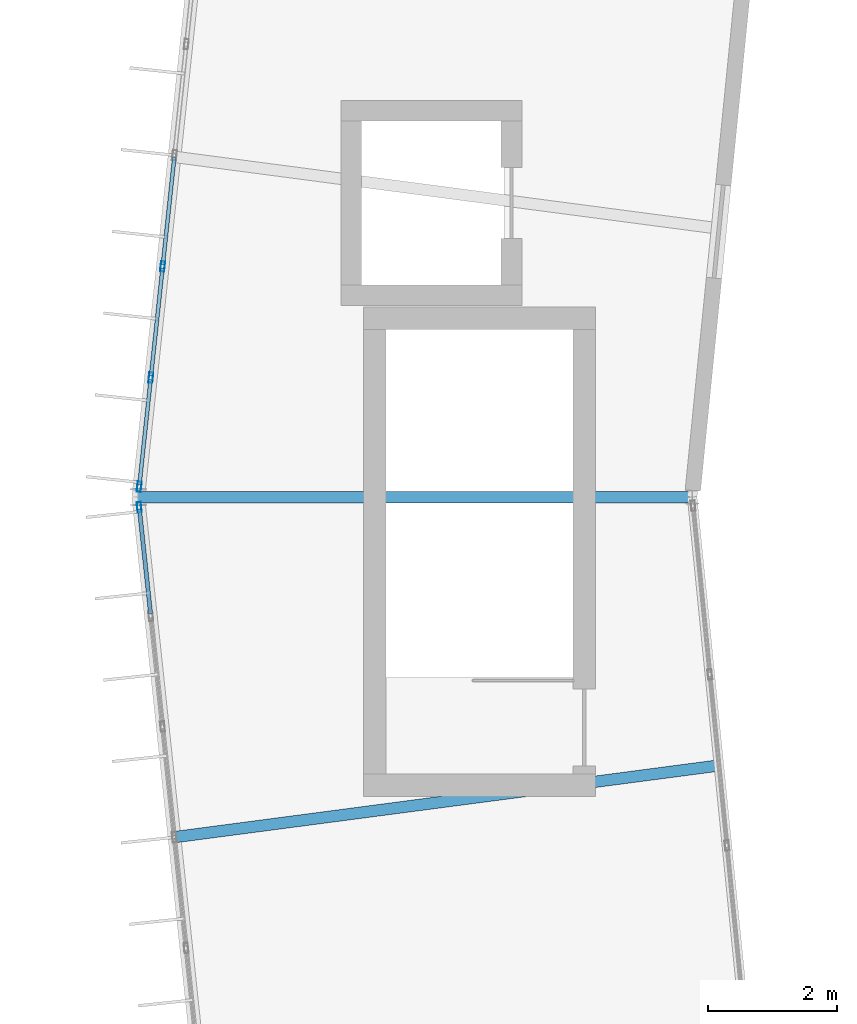
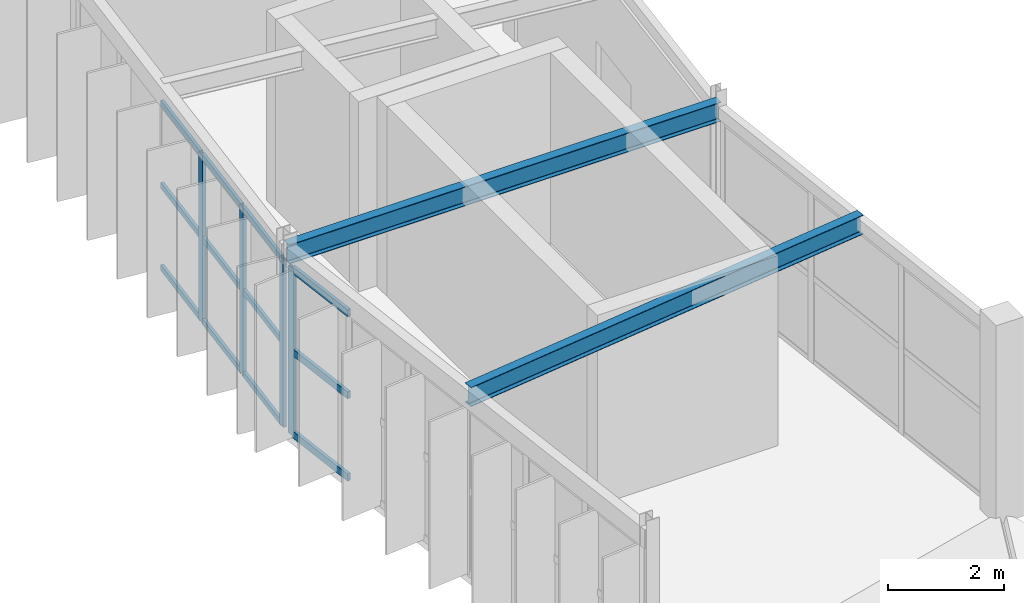
# One storey, part 27 of 106: 16 members, 2 beams, 2 elements without a shape of their own.
"""IFC4 building model written with IfcOpenShell, lengths in metres."""

from ifc_helpers import new_model, si_unit, direction, frame, origin, origin_2d, place, context, subcontext, project, spatial, hollow_rectangle, i_section, extrude, material, material_profile, profile_set, type_object, element, aggregate, save


model = new_model("IFC4")

# Units and contexts
model_context = context("Model", 3, precision=1e-05, world=origin(), true_north=direction((0.0, 1.0)))
body_context = subcontext(model_context, "Body", "Model", "MODEL_VIEW")
ifc_project = project(units=[si_unit("LENGTHUNIT", "METRE"), si_unit("AREAUNIT", "SQUARE_METRE"), si_unit("VOLUMEUNIT", "CUBIC_METRE"), si_unit("PLANEANGLEUNIT", "RADIAN"), si_unit("MASSUNIT", "GRAM", prefix="KILO")], contexts=[model_context])

# Site, building, storey
site_placement = place(None, origin())
site = spatial("IfcSite", under=ifc_project, at=site_placement, CompositionType="ELEMENT")
building_placement = place(site_placement, origin())
building = spatial("IfcBuilding", under=site, at=building_placement, Name="Karori Crest Natural Sciences Institute", CompositionType="ELEMENT")
storey_placement = place(building_placement, frame((0.0, 0.0, 25.89990234375)))
storey = spatial("IfcBuildingStorey", under=building, at=storey_placement, Name="L06", CompositionType="ELEMENT", Elevation=25.89990234375)

# Beams
ifc_material_1 = material(Name="Structural steel AS/NZS 3679.1 Grade 350", Category="steel")
ifc_material_profile_1 = material_profile(ifc_material_1, i_section(OverallWidth=0.177978515625, OverallDepth=0.406005859375, WebThickness=0.0078125, FlangeThickness=0.0126953125, FilletRadius=0.010986328125, at=origin_2d()), Name="410UB59.7")
ifc_profile_set_1 = profile_set([ifc_material_profile_1], Name="Structural steel AS/NZS 3679.1 Grade 350")
beam_type = type_object("IfcBeamType", Name="BT-07", PredefinedType="BEAM", material=ifc_profile_set_1)
beam_1_placement = place(storey_placement, frame((42.0, 49.89990234375, 3.739990234375), z_axis=(-1.0, 0.0, 0.0), x_axis=(0.0, -1.0, 0.0)))
element("IfcBeam", 1, at=beam_1_placement, inside=storey, type_object=beam_type, Name="Beam B-0682", PredefinedType="BEAM", context=body_context, shape_type="SweptSolid", body=[
    extrude(i_section(OverallWidth=0.177978515625, OverallDepth=0.406005859375, WebThickness=0.0078125, FlangeThickness=0.0126953125, FilletRadius=0.010986328125, at=origin_2d()), origin(), (0.0, 0.0, 1.0), 8.60009765625),
])
beam_2_placement = place(storey_placement, frame((42.415771484375, 45.73291015625, 3.739990234375), z_axis=(-0.99144708217, -0.13050932249, 0.0), x_axis=(0.13050932249, -0.99144708217, 0.0)))
element("IfcBeam", 2, at=beam_2_placement, inside=storey, type_object=beam_type, Name="Beam B-2893", PredefinedType="BEAM", context=body_context, shape_type="SweptSolid", body=[
    extrude(i_section(OverallWidth=0.177978515625, OverallDepth=0.406005859375, WebThickness=0.0078125, FlangeThickness=0.0126953125, FilletRadius=0.010986328125, at=origin_2d()), origin(), (0.0, 0.0, 1.0), 8.526611328125),
])

# Curtain wall, members
ifc_material_2 = material(Name="Anodised architectural aluminium 6063-T6", Category="aluminium")
curtain_wall_type_1 = type_object("IfcCurtainWallType", Name="CWT-02", PredefinedType="NOTDEFINED", material=ifc_material_2)
curtain_wall_1_placement = place(storey_placement, origin())
curtain_wall_1 = element("IfcCurtainWall", 3, at=curtain_wall_1_placement, inside=storey, type_object=curtain_wall_type_1, Name="Curtain wall CW-0237", PredefinedType="NOTDEFINED")
ifc_material_profile_2 = material_profile(ifc_material_2, hollow_rectangle(XDim=0.06494140625, YDim=0.159912109375, WallThickness=0.00390625, at=origin_2d()), Name="CWM160x65x4")
ifc_profile_set_2 = profile_set([ifc_material_profile_2], Name="Anodised architectural aluminium 6063-T6")
member_type_1 = type_object("IfcMemberType", Name="CWM-01", PredefinedType="MULLION", material=ifc_profile_set_2)
member_1_placement = place(storey_placement, frame((33.4169921875, 50.060302734375, 0.0), z_axis=(0.0, 0.0, 1.0), x_axis=(-0.994378309998, 0.105885677057, 0.0)))
member_1 = element("IfcMember", 4, at=member_1_placement, type_object=member_type_1, Name="CW-0237 mullion 1", PredefinedType="MULLION", context=body_context, shape_type="SweptSolid", body=[
    extrude(hollow_rectangle(XDim=0.06494140625, YDim=0.159912109375, WallThickness=0.00390625, at=origin_2d()), origin(), (0.0, 0.0, 1.0), 3.525146484375),
])
member_2_placement = place(storey_placement, frame((33.597412109375, 51.75341796875, 0.0), z_axis=(0.0, 0.0, 1.0), x_axis=(-0.994378309998, 0.105885677057, 0.0)))
member_2 = element("IfcMember", 5, at=member_2_placement, type_object=member_type_1, Name="CW-0237 mullion 2", PredefinedType="MULLION", context=body_context, shape_type="SweptSolid", body=[
    extrude(hollow_rectangle(XDim=0.06494140625, YDim=0.159912109375, WallThickness=0.00390625, at=origin_2d()), origin(), (0.0, 0.0, 1.0), 3.525146484375),
])
member_3_placement = place(storey_placement, frame((33.781005859375, 53.47900390625, 0.0), z_axis=(0.0, 0.0, 1.0), x_axis=(-0.994378309998, 0.105885677057, 0.0)))
member_3 = element("IfcMember", 6, at=member_3_placement, type_object=member_type_1, Name="CW-0237 mullion 3", PredefinedType="MULLION", context=body_context, shape_type="SweptSolid", body=[
    extrude(hollow_rectangle(XDim=0.06494140625, YDim=0.159912109375, WallThickness=0.00390625, at=origin_2d()), origin(), (0.0, 0.0, 1.0), 3.525146484375),
])

# Curtain wall, member
curtain_wall_type_2 = type_object("IfcCurtainWallType", Name="CWT-03", PredefinedType="NOTDEFINED", material=ifc_material_2)
curtain_wall_2_placement = place(storey_placement, origin())
curtain_wall_2 = element("IfcCurtainWall", 7, at=curtain_wall_2_placement, inside=storey, type_object=curtain_wall_type_2, Name="Curtain wall CW-0238", PredefinedType="NOTDEFINED")
member_4_placement = place(storey_placement, frame((33.4169921875, 49.73974609375, 0.0), z_axis=(0.0, 0.0, 1.0), x_axis=(-0.994378435661, -0.105884496939, 0.0)))
member_4 = element("IfcMember", 8, at=member_4_placement, type_object=member_type_1, Name="CW-0238 mullion 7", PredefinedType="MULLION", context=body_context, shape_type="SweptSolid", body=[
    extrude(hollow_rectangle(XDim=0.06494140625, YDim=0.159912109375, WallThickness=0.00390625, at=origin_2d()), origin(), (0.0, 0.0, 1.0), 3.525146484375),
])

# Member
ifc_material_profile_3 = material_profile(ifc_material_2, hollow_rectangle(XDim=0.06005859375, YDim=0.1201171875, WallThickness=0.00390625, at=origin_2d()), Name="CWT120x60x4")
ifc_profile_set_3 = profile_set([ifc_material_profile_3], Name="Anodised architectural aluminium 6063-T6")
member_type_2 = type_object("IfcMemberType", Name="CWT-TR1", PredefinedType="USERDEFINED", material=ifc_profile_set_3)
member_5_placement = place(storey_placement, frame((33.42041015625, 50.092529296875, 0.030029296875), z_axis=(0.1059804823, 0.994368210157, 0.0), x_axis=(-0.994368210157, 0.1059804823, 0.0)))
member_5 = element("IfcMember", 9, at=member_5_placement, type_object=member_type_2, Name="CW-0237 transom 1.1", ObjectType="TRANSOM", PredefinedType="USERDEFINED", context=body_context, shape_type="SweptSolid", body=[
    extrude(hollow_rectangle(XDim=0.06005859375, YDim=0.1201171875, WallThickness=0.00390625, at=origin_2d()), origin(), (0.0, 0.0, 1.0), 1.637939453125),
])

member_6_placement = place(storey_placement, frame((33.42041015625, 50.092529296875, 1.7626953125), z_axis=(0.1059804823, 0.994368210157, 0.0), x_axis=(-0.994368210157, 0.1059804823, 0.0)))
member_6 = element("IfcMember", 10, at=member_6_placement, type_object=member_type_2, Name="CW-0237 transom 1.2", ObjectType="TRANSOM", PredefinedType="USERDEFINED", context=body_context, shape_type="SweptSolid", body=[
    extrude(hollow_rectangle(XDim=0.06005859375, YDim=0.1201171875, WallThickness=0.00390625, at=origin_2d()), origin(), (0.0, 0.0, 1.0), 1.637939453125),
])

member_7_placement = place(storey_placement, frame((33.42041015625, 50.092529296875, 3.4951171875), z_axis=(0.1059804823, 0.994368210157, 0.0), x_axis=(-0.994368210157, 0.1059804823, 0.0)))
member_7 = element("IfcMember", 11, at=member_7_placement, type_object=member_type_2, Name="CW-0237 transom 1.3", ObjectType="TRANSOM", PredefinedType="USERDEFINED", context=body_context, shape_type="SweptSolid", body=[
    extrude(hollow_rectangle(XDim=0.06005859375, YDim=0.1201171875, WallThickness=0.00390625, at=origin_2d()), origin(), (0.0, 0.0, 1.0), 1.637939453125),
])

member_8_placement = place(storey_placement, frame((33.600830078125, 51.785888671875, 0.030029296875), z_axis=(0.105841415473, 0.994383022165, 0.0), x_axis=(-0.994383022165, 0.105841415473, 0.0)))
member_8 = element("IfcMember", 12, at=member_8_placement, type_object=member_type_2, Name="CW-0237 transom 2.1", ObjectType="TRANSOM", PredefinedType="USERDEFINED", context=body_context, shape_type="SweptSolid", body=[
    extrude(hollow_rectangle(XDim=0.06005859375, YDim=0.1201171875, WallThickness=0.00390625, at=origin_2d()), origin(), (0.0, 0.0, 1.0), 1.669921875),
])

member_9_placement = place(storey_placement, frame((33.600830078125, 51.785888671875, 1.7626953125), z_axis=(0.105841415473, 0.994383022165, 0.0), x_axis=(-0.994383022165, 0.105841415473, 0.0)))
member_9 = element("IfcMember", 13, at=member_9_placement, type_object=member_type_2, Name="CW-0237 transom 2.2", ObjectType="TRANSOM", PredefinedType="USERDEFINED", context=body_context, shape_type="SweptSolid", body=[
    extrude(hollow_rectangle(XDim=0.06005859375, YDim=0.1201171875, WallThickness=0.00390625, at=origin_2d()), origin(), (0.0, 0.0, 1.0), 1.669921875),
])

member_10_placement = place(storey_placement, frame((33.600830078125, 51.785888671875, 3.4951171875), z_axis=(0.105841415473, 0.994383022165, 0.0), x_axis=(-0.994383022165, 0.105841415473, 0.0)))
member_10 = element("IfcMember", 14, at=member_10_placement, type_object=member_type_2, Name="CW-0237 transom 2.3", ObjectType="TRANSOM", PredefinedType="USERDEFINED", context=body_context, shape_type="SweptSolid", body=[
    extrude(hollow_rectangle(XDim=0.06005859375, YDim=0.1201171875, WallThickness=0.00390625, at=origin_2d()), origin(), (0.0, 0.0, 1.0), 1.669921875),
])

member_11_placement = place(storey_placement, frame((33.784423828125, 53.51123046875, 0.030029296875), z_axis=(0.105970559906, 0.994369267643, 0.0), x_axis=(-0.994369267643, 0.105970559906, 0.0)))
member_11 = element("IfcMember", 15, at=member_11_placement, type_object=member_type_2, Name="CW-0237 transom 3.1", ObjectType="TRANSOM", PredefinedType="USERDEFINED", context=body_context, shape_type="SweptSolid", body=[
    extrude(hollow_rectangle(XDim=0.06005859375, YDim=0.1201171875, WallThickness=0.00390625, at=origin_2d()), origin(), (0.0, 0.0, 1.0), 1.67041015625),
])

member_12_placement = place(storey_placement, frame((33.784423828125, 53.51123046875, 1.7626953125), z_axis=(0.105970559906, 0.994369267643, 0.0), x_axis=(-0.994369267643, 0.105970559906, 0.0)))
member_12 = element("IfcMember", 16, at=member_12_placement, type_object=member_type_2, Name="CW-0237 transom 3.2", ObjectType="TRANSOM", PredefinedType="USERDEFINED", context=body_context, shape_type="SweptSolid", body=[
    extrude(hollow_rectangle(XDim=0.06005859375, YDim=0.1201171875, WallThickness=0.00390625, at=origin_2d()), origin(), (0.0, 0.0, 1.0), 1.67041015625),
])

member_13_placement = place(storey_placement, frame((33.784423828125, 53.51123046875, 3.4951171875), z_axis=(0.105970559906, 0.994369267643, 0.0), x_axis=(-0.994369267643, 0.105970559906, 0.0)))
member_13 = element("IfcMember", 17, at=member_13_placement, type_object=member_type_2, Name="CW-0237 transom 3.3", ObjectType="TRANSOM", PredefinedType="USERDEFINED", context=body_context, shape_type="SweptSolid", body=[
    extrude(hollow_rectangle(XDim=0.06005859375, YDim=0.1201171875, WallThickness=0.00390625, at=origin_2d()), origin(), (0.0, 0.0, 1.0), 1.67041015625),
])

aggregate(curtain_wall_1, [member_1, member_2, member_3, member_5, member_6, member_7, member_8, member_9, member_10, member_11, member_12, member_13])

ifc_material_profile_4 = material_profile(ifc_material_2, hollow_rectangle(XDim=0.06494140625, YDim=0.14990234375, WallThickness=0.00390625, at=origin_2d()), Name="CWT150x65x4")
ifc_profile_set_4 = profile_set([ifc_material_profile_4], Name="Anodised architectural aluminium 6063-T6")
member_type_3 = type_object("IfcMemberType", Name="CWT-TR2", PredefinedType="USERDEFINED", material=ifc_profile_set_4)
member_14_placement = place(storey_placement, frame((33.593017578125, 48.08642578125, 0.03271484375), z_axis=(-0.105893191658, 0.994377509782, 0.0), x_axis=(-0.994377509782, -0.105893191658, 0.0)))
member_14 = element("IfcMember", 18, at=member_14_placement, type_object=member_type_3, Name="CW-0238 transom 6.1", ObjectType="TRANSOM", PredefinedType="USERDEFINED", context=body_context, shape_type="SweptSolid", body=[
    extrude(hollow_rectangle(XDim=0.06494140625, YDim=0.14990234375, WallThickness=0.00390625, at=origin_2d()), origin(), (0.0, 0.0, 1.0), 1.630126953125),
])

member_15_placement = place(storey_placement, frame((33.593017578125, 48.08642578125, 1.7626953125), z_axis=(-0.105893191658, 0.994377509782, 0.0), x_axis=(-0.994377509782, -0.105893191658, 0.0)))
member_15 = element("IfcMember", 19, at=member_15_placement, type_object=member_type_3, Name="CW-0238 transom 6.2", ObjectType="TRANSOM", PredefinedType="USERDEFINED", context=body_context, shape_type="SweptSolid", body=[
    extrude(hollow_rectangle(XDim=0.06494140625, YDim=0.14990234375, WallThickness=0.00390625, at=origin_2d()), origin(), (0.0, 0.0, 1.0), 1.630126953125),
])

member_16_placement = place(storey_placement, frame((33.593017578125, 48.08642578125, 3.49267578125), z_axis=(-0.105893191658, 0.994377509782, 0.0), x_axis=(-0.994377509782, -0.105893191658, 0.0)))
member_16 = element("IfcMember", 20, at=member_16_placement, type_object=member_type_3, Name="CW-0238 transom 6.3", ObjectType="TRANSOM", PredefinedType="USERDEFINED", context=body_context, shape_type="SweptSolid", body=[
    extrude(hollow_rectangle(XDim=0.06494140625, YDim=0.14990234375, WallThickness=0.00390625, at=origin_2d()), origin(), (0.0, 0.0, 1.0), 1.630126953125),
])

aggregate(curtain_wall_2, [member_4, member_14, member_15, member_16])

save(model, "model.ifc")
